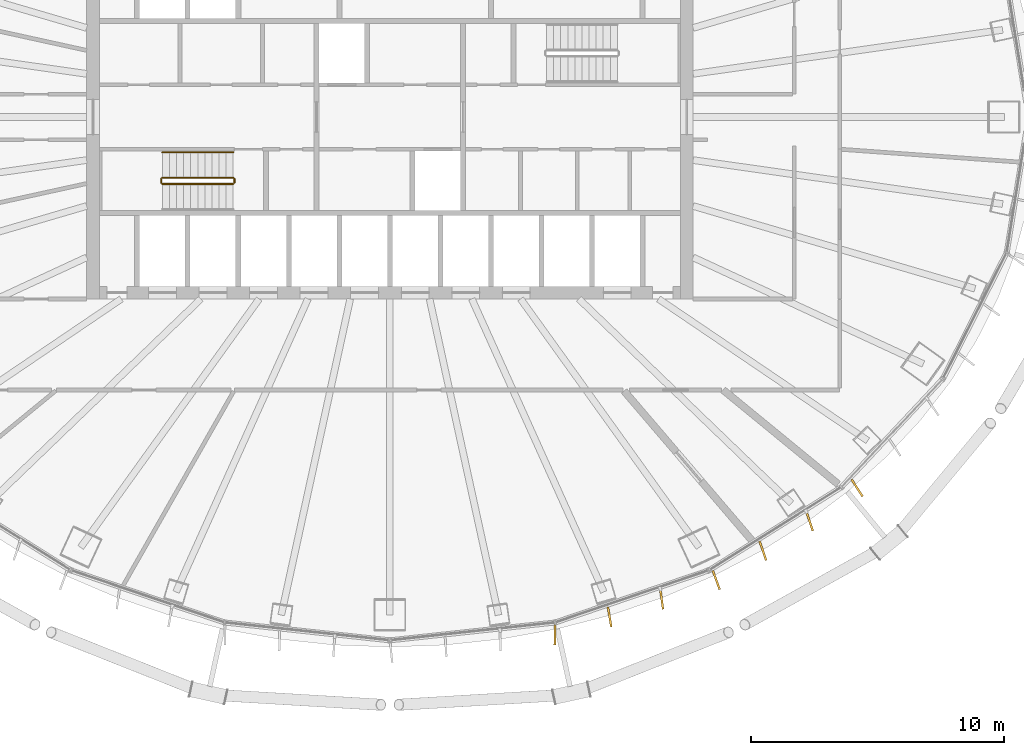
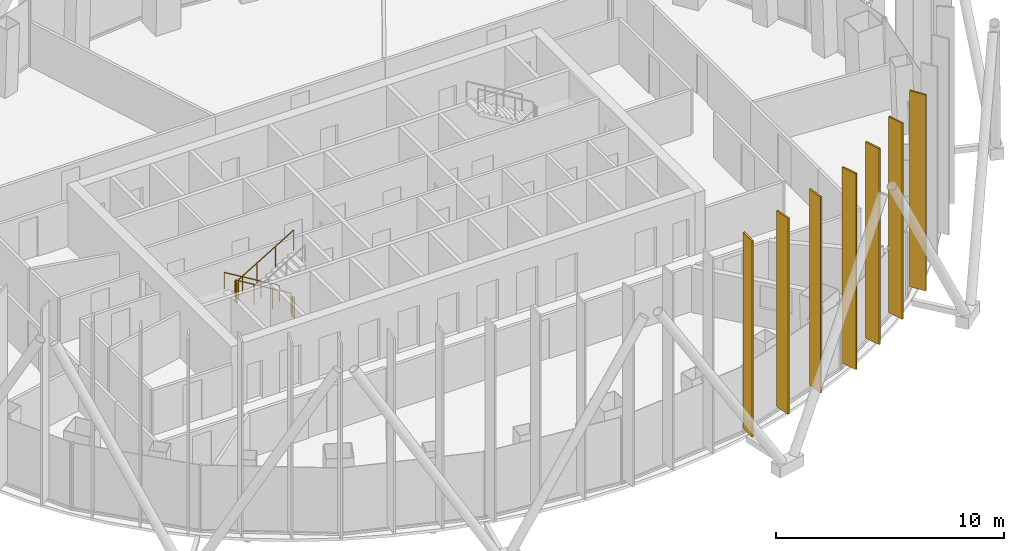
# One storey, part 17 of 19: 7 shading devices, 5 railings.
"""IFC4 building model written with IfcOpenShell, lengths in metres."""

from ifc_helpers import new_model, si_unit, direction, frame, origin, origin_2d, place, context, subcontext, project, spatial, rectangle, circle, extrude, material, layer, layer_set, type_object, element, save


model = new_model("IFC4")

# Units and contexts
model_context = context("Model", 3, precision=1e-05, world=origin(), true_north=direction((0.0, 1.0)))
body_context = subcontext(model_context, "Body", "Model", "MODEL_VIEW")
ifc_project = project(units=[si_unit("LENGTHUNIT", "METRE"), si_unit("AREAUNIT", "SQUARE_METRE"), si_unit("VOLUMEUNIT", "CUBIC_METRE"), si_unit("PLANEANGLEUNIT", "RADIAN"), si_unit("MASSUNIT", "GRAM", prefix="KILO")], contexts=[model_context])

# Site, building, storey
site_placement = place(None, origin())
site = spatial("IfcSite", under=ifc_project, at=site_placement, CompositionType="ELEMENT")
building_placement = place(site_placement, origin())
building = spatial("IfcBuilding", under=site, at=building_placement, Name="Siaravel Broadcast Tower", CompositionType="ELEMENT")
storey_placement = place(building_placement, frame((0.0, 0.0, 119.300048828125)))
storey = spatial("IfcBuildingStorey", under=building, at=storey_placement, Name="L28", CompositionType="ELEMENT", Elevation=119.300048828125)

# Shading devices
ifc_material_1 = material(Name="Bronze anodised aluminium", Category="aluminium")
ifc_layer = layer(ifc_material_1, 0.080078125)
ifc_layer_set = layer_set([ifc_layer], Name="Bronze anodised aluminium")
shading_device_type = type_object("IfcShadingDeviceType", Name="Bronze fin zone 2", PredefinedType="USERDEFINED", material=ifc_layer_set)
for number, where, z_axis, x_axis, name in (
    (1, (6.529296875, -20.49267578125, 0.300048828125), (0.0, 0.0, 1.0), (-0.014447333, -0.999895632, 0.0), "Bronze fin L28-53"),
    (2, (8.69384765625, -19.78271484375, 0.300048828125), (0.0, 0.0, 1.0), (0.168948702, -0.985624846, 0.0), "Bronze fin L28-54"),
    (3, (10.75341796875, -19.08154296875, 0.300048828125), (0.0, 0.0, 1.0), (0.13857334, -0.990352174, 0.0), "Bronze fin L28-55"),
    (4, (12.913330078125, -18.3251953125, 0.300048828125), (0.0, 0.0, 1.0), (0.34143129, -0.939906737, 0.0), "Bronze fin L28-56"),
    (5, (14.758544921875, -17.16357421875, 0.300048828125), (0.0, 0.0, 1.0), (0.323991723, -0.946059915, 0.0), "Bronze fin L28-57"),
    (6, (16.606689453125, -16.00048828125, 0.300048828125), (0.0, 0.0, 1.0), (0.313902973, -0.949455067, 0.0), "Bronze fin L28-58"),
    (7, (18.487060546875, -14.679931640625, 0.300048828125), (0.0, 0.0, 1.0), (0.542925306, -0.839780991, 0.0), "Bronze fin L28-59"),
):
    element("IfcShadingDevice", number, at=place(storey_placement, frame(where, z_axis=z_axis, x_axis=x_axis)), inside=storey, type_object=shading_device_type, Name=name, ObjectType="FIN", PredefinedType="USERDEFINED", context=body_context, shape_type="SweptSolid", body=[
        extrude(rectangle(XDim=0.800048828125, YDim=0.080078125, at=origin_2d()), origin(), (0.0, 0.0, 1.0), 10.5),
    ])

# Railings
ifc_material_2 = material(Name="Stainless steel 316L", Category="steel")
railing_type_1 = type_object("IfcRailingType", Name="Stair guard 1100", PredefinedType="GUARDRAIL", material=ifc_material_2)
railing_1_placement = place(storey_placement, frame((-6.199951171875, -2.39990234375, 0.168212890625)))
element("IfcRailing", 8, at=railing_1_placement, inside=storey, type_object=railing_type_1, Name="L28 ST-1 stair guard 1", PredefinedType="GUARDRAIL", context=body_context, shape_type="SweptSolid", body=[
    extrude(circle(Radius=0.02392578125, at=origin_2d()), frame((0.0, 0.0, 1.076171875), z_axis=(-0.857275203, 0.0, 0.514858453), x_axis=(0.0, -1.0, 0.0)), (0.0, 0.0, 1.0), 3.26611328125),
    extrude(circle(Radius=0.02099609375, at=origin_2d()), origin(), (0.0, 0.0, 1.0), 1.052001953125),
    extrude(circle(Radius=0.02099609375, at=origin_2d()), frame((-0.933349609375, 0.0, 0.560546875)), (0.0, 0.0, 1.0), 1.052001953125),
    extrude(circle(Radius=0.02099609375, at=origin_2d()), frame((-1.86669921875, 0.0, 1.12109375)), (0.0, 0.0, 1.0), 1.052001953125),
    extrude(circle(Radius=0.02099609375, at=origin_2d()), frame((-2.800048828125, 0.0, 1.681640625)), (0.0, 0.0, 1.0), 1.052001953125),
])
railing_2_placement = place(storey_placement, frame((-9.050048828125, -2.449951171875, 1.849853515625)))
element("IfcRailing", 9, at=railing_2_placement, inside=storey, type_object=railing_type_1, Name="L28 ST-1 stair guard 2", PredefinedType="GUARDRAIL", context=body_context, shape_type="SweptSolid", body=[
    extrude(circle(Radius=0.02392578125, at=origin_2d()), frame((0.0, 0.0, 1.076171875), z_axis=(0.0, -1.0, 0.0), x_axis=(1.0, 0.0, 0.0)), (0.0, 0.0, 1.0), 0.150146484375),
    extrude(circle(Radius=0.02099609375, at=origin_2d()), origin(), (0.0, 0.0, 1.0), 1.052001953125),
    extrude(circle(Radius=0.02099609375, at=origin_2d()), frame((0.0, -0.150146484375, 0.0)), (0.0, 0.0, 1.0), 1.052001953125),
])
railing_3_placement = place(storey_placement, frame((-9.0, -2.64990234375, 2.01806640625)))
element("IfcRailing", 10, at=railing_3_placement, inside=storey, type_object=railing_type_1, Name="L28 ST-1 stair guard 3", PredefinedType="GUARDRAIL", context=body_context, shape_type="SweptSolid", body=[
    extrude(circle(Radius=0.02392578125, at=origin_2d()), frame((0.0, 0.0, 1.076171875), z_axis=(0.857242211, 0.0, 0.514913383), x_axis=(0.0, 1.0, 0.0)), (0.0, 0.0, 1.0), 3.266357421875),
    extrude(circle(Radius=0.02099609375, at=origin_2d()), origin(), (0.0, 0.0, 1.0), 1.052001953125),
    extrude(circle(Radius=0.02099609375, at=origin_2d()), frame((0.933349609375, 0.0, 0.560546875)), (0.0, 0.0, 1.0), 1.052001953125),
    extrude(circle(Radius=0.02099609375, at=origin_2d()), frame((1.86669921875, 0.0, 1.121337890625)), (0.0, 0.0, 1.0), 1.052001953125),
    extrude(circle(Radius=0.02099609375, at=origin_2d()), frame((2.800048828125, 0.0, 1.681884765625)), (0.0, 0.0, 1.0), 1.052001953125),
])
railing_4_placement = place(storey_placement, frame((-6.14990234375, -2.449951171875, 0.0)))
element("IfcRailing", 11, at=railing_4_placement, inside=storey, type_object=railing_type_1, Name="L28 ST-1 stair guard 4", PredefinedType="GUARDRAIL", context=body_context, shape_type="SweptSolid", body=[
    extrude(circle(Radius=0.02392578125, at=origin_2d()), frame((0.0, 0.0, 1.076171875), z_axis=(0.0, -1.0, 0.0), x_axis=(1.0, 0.0, 0.0)), (0.0, 0.0, 1.0), 0.150146484375),
    extrude(circle(Radius=0.02099609375, at=origin_2d()), origin(), (0.0, 0.0, 1.0), 1.052001953125),
    extrude(circle(Radius=0.02099609375, at=origin_2d()), frame((0.0, -0.150146484375, 0.0)), (0.0, 0.0, 1.0), 1.052001953125),
])
railing_type_2 = type_object("IfcRailingType", Name="Stair handrail 900", PredefinedType="HANDRAIL", material=ifc_material_2)
railing_5_placement = place(storey_placement, frame((-6.199951171875, -1.39990234375, 0.168212890625)))
element("IfcRailing", 12, at=railing_5_placement, inside=storey, type_object=railing_type_2, Name="L28 ST-1 stair handrail 1", PredefinedType="HANDRAIL", context=body_context, shape_type="SweptSolid", body=[
    extrude(circle(Radius=0.02392578125, at=origin_2d()), frame((0.0, 0.0, 0.8759765625), z_axis=(-0.857275203, 0.0, 0.514858453), x_axis=(0.0, -1.0, 0.0)), (0.0, 0.0, 1.0), 3.26611328125),
    extrude(circle(Radius=0.02099609375, at=origin_2d()), origin(), (0.0, 0.0, 1.0), 0.851806640625),
    extrude(circle(Radius=0.02099609375, at=origin_2d()), frame((-0.933349609375, 0.0, 0.560546875)), (0.0, 0.0, 1.0), 0.851806640625),
    extrude(circle(Radius=0.02099609375, at=origin_2d()), frame((-1.86669921875, 0.0, 1.12109375)), (0.0, 0.0, 1.0), 0.851806640625),
    extrude(circle(Radius=0.02099609375, at=origin_2d()), frame((-2.800048828125, 0.0, 1.681640625)), (0.0, 0.0, 1.0), 0.851806640625),
])

save(model, "model.ifc")
